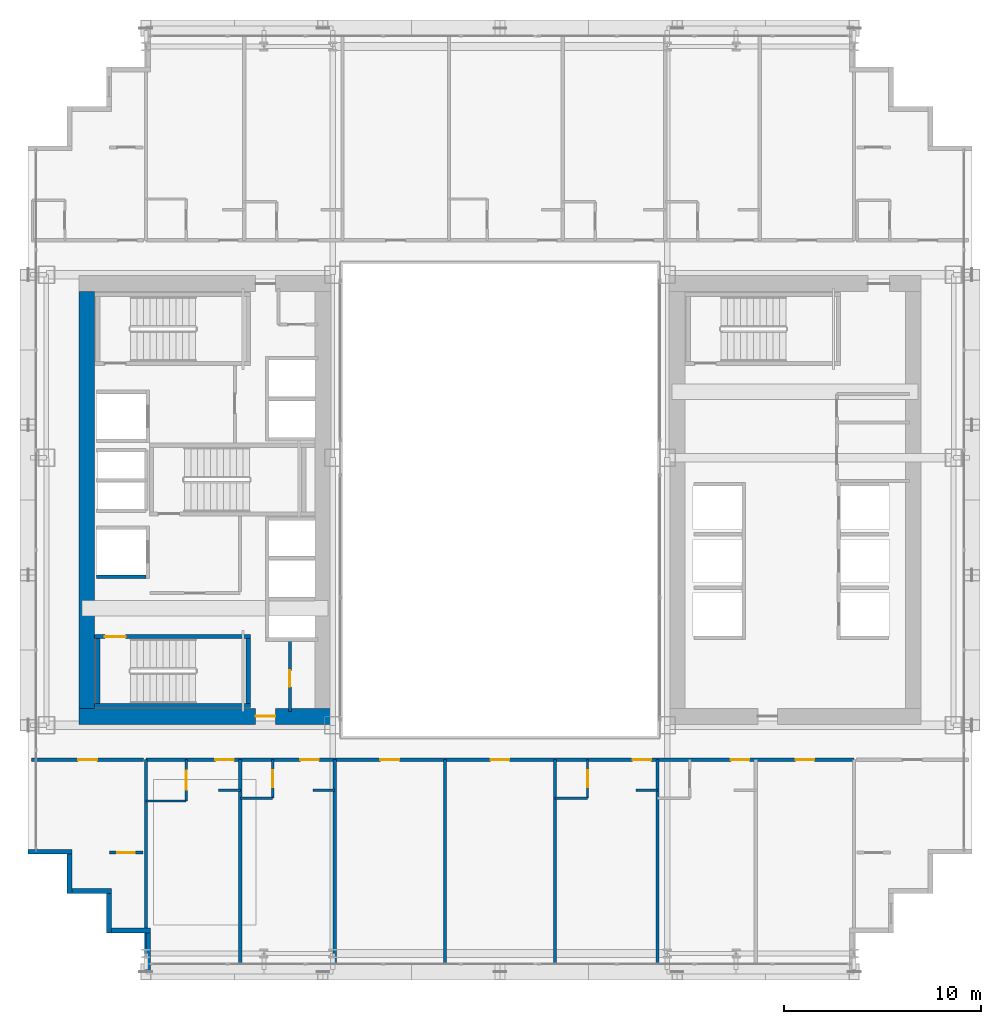
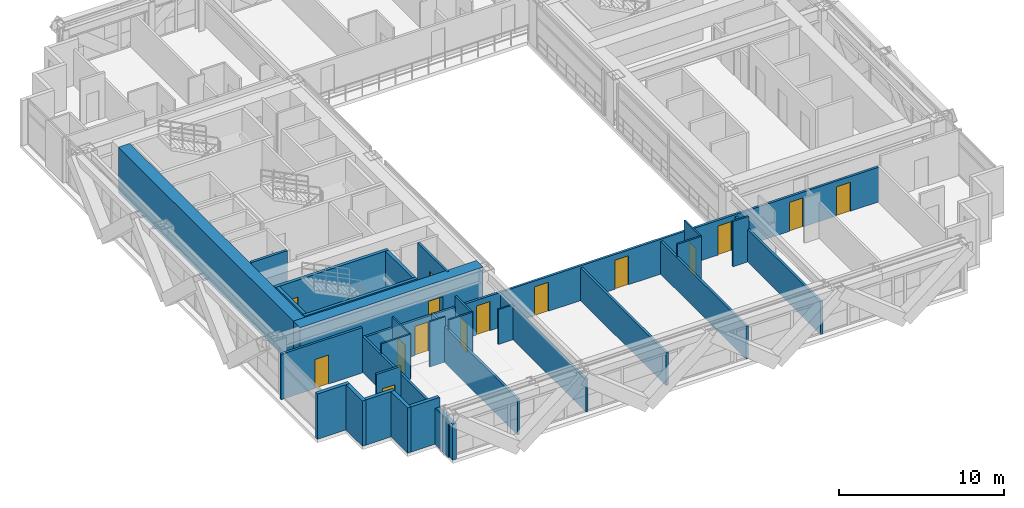
# One storey, part 33 of 41: 32 walls, 15 doors, 15 openings.
"""IFC4 building model written with IfcOpenShell, lengths in metres."""

from ifc_helpers import new_model, si_unit, direction, frame, frame_2d, origin, place, context, subcontext, project, spatial, rectangle, extrude, source, transform, mapped, material, layer, layer_set, type_object, element, fill, save


model = new_model("IFC4")

# Units and contexts
model_context = context("Model", 3, precision=1e-05, world=origin(), true_north=direction((0.0, 1.0)))
body_context = subcontext(model_context, "Body", "Model", "MODEL_VIEW")
ifc_project = project(units=[si_unit("LENGTHUNIT", "METRE"), si_unit("AREAUNIT", "SQUARE_METRE"), si_unit("VOLUMEUNIT", "CUBIC_METRE"), si_unit("PLANEANGLEUNIT", "RADIAN"), si_unit("MASSUNIT", "GRAM", prefix="KILO")], contexts=[model_context])

# Site, building, storey
site_placement = place(None, origin())
site = spatial("IfcSite", under=ifc_project, at=site_placement, CompositionType="ELEMENT")
building_placement = place(site_placement, origin())
building = spatial("IfcBuilding", under=site, at=building_placement, Name="Ocotamira Hotel", CompositionType="ELEMENT")
storey_placement = place(building_placement, frame((0.0, 0.0, 67.199951171875)))
storey = spatial("IfcBuildingStorey", under=building, at=storey_placement, Name="L16", CompositionType="ELEMENT", Elevation=67.199951171875)

# Wall, opening, door
ifc_material_1 = material(Name="Concrete C60/75", Category="concrete")
ifc_layer_1 = layer(ifc_material_1, 0.800048828125)
ifc_layer_set_1 = layer_set([ifc_layer_1], Name="Concrete C60/75")
wall_type_1 = type_object("IfcWallType", Name="WL-CORE-800", PredefinedType="SHEAR", material=ifc_layer_set_1)
wall_1_placement = place(storey_placement, frame((10.60009765625, 15.0, 0.0), z_axis=(0.0, 0.0, 1.0), x_axis=(1.0, 0.0, 0.0)))
wall_1 = element("IfcWall", 1, at=wall_1_placement, inside=storey, type_object=wall_type_1, Name="L16 Shear Core Wall WCORE-S", PredefinedType="SHEAR", context=body_context, shape_type="SweptSolid", body=[
    extrude(rectangle(XDim=12.7998046875, YDim=0.800048828125, at=frame_2d((6.39990234375, 0.0))), origin(), (0.0, 0.0, 1.0), 3.35009765625),
])
opening_1_placement = place(wall_1_placement, frame((8.97998046875, 0.0, 0.0)))
opening_1 = element("IfcOpeningElement", 2, at=opening_1_placement, cuts=wall_1, Name="Opening D-FR2", PredefinedType="OPENING", context=body_context, shape_type="SweptSolid", body=[
    extrude(rectangle(XDim=1.0, YDim=2.14990234375, at=frame_2d((0.5, 1.074951171875))), frame((0.0, 0.41015625, 0.0), z_axis=(0.0, -1.0, 0.0), x_axis=(1.0, 0.0, 0.0)), (0.0, 0.0, 1.0), 0.820068359375),
])
ifc_material_2 = material(Name="Fire-rated acoustic timber-veneer door", Category="wood")
door_type_1 = type_object("IfcDoorType", Name="DR-FIRE-1000", OperationType="NOTDEFINED", PredefinedType="DOOR", material=ifc_material_2)
shared_shape_1 = source(origin(), body_context, "Body", "SweptSolid", [
    extrude(rectangle(XDim=1.0, YDim=2.14990234375, at=frame_2d((0.5, 1.074951171875))), frame((0.0, 0.02490234375, 0.0), z_axis=(0.0, -1.0, 0.0), x_axis=(1.0, 0.0, 0.0)), (0.0, 0.0, 1.0), 0.050048828125),
])
door_1_placement = place(opening_1_placement, origin())
door_1 = element("IfcDoor", 3, at=door_1_placement, inside=storey, type_object=door_type_1, Name="L16 Door ID-L16-WLOB-S-D [ID-L16-WLOB-S-D]", OperationType="SINGLE_SWING_LEFT", OverallHeight=2.14990234375, OverallWidth=1.0, PredefinedType="DOOR", context=body_context, shape_type="MappedRepresentation", body=[
    mapped(shared_shape_1, transform((0.0, 0.0, 0.0), scale=1.0)),
])
fill(opening_1, door_1)

# Walls
wall_2_placement = place(storey_placement, frame((11.0, 15.39990234375, 0.0), z_axis=(0.0, 0.0, 1.0), x_axis=(0.0, 1.0, 0.0)))
element("IfcWall", 4, at=wall_2_placement, inside=storey, type_object=wall_type_1, Name="L16 Shear Core Wall WCORE-W", PredefinedType="SHEAR", context=body_context, shape_type="SweptSolid", body=[
    extrude(rectangle(XDim=21.2001953125, YDim=0.800048828125, at=frame_2d((10.60009765625, 0.0))), origin(), (0.0, 0.0, 1.0), 3.35009765625),
])
ifc_material_3 = material(Name="Precast concrete C45/55", Category="concrete")
ifc_layer_2 = layer(ifc_material_3, 0.25)
ifc_layer_set_2 = layer_set([ifc_layer_2], Name="Precast concrete C45/55")
wall_type_2 = type_object("IfcWallType", Name="WL-EXT-SER-250", PredefinedType="SOLIDWALL", material=ifc_layer_set_2)
wall_3_placement = place(storey_placement, frame((8.0, 8.125, 0.0), z_axis=(0.0, 0.0, 1.0), x_axis=(1.0, 0.0, 0.0)))
element("IfcWall", 5, at=wall_3_placement, inside=storey, type_object=wall_type_2, Name="L16 Serrated Corner Wall 19", PredefinedType="SOLIDWALL", context=body_context, shape_type="SweptSolid", body=[
    extrude(rectangle(XDim=2.25, YDim=0.25, at=frame_2d((1.125, 0.0))), origin(), (0.0, 0.0, 1.0), 3.35009765625),
])
for number, where, z_axis, x_axis, name in (
    (6, (10.125, 8.0, 0.0), (0.0, 0.0, 1.0), (0.0, -1.0, 0.0), "L16 Serrated Corner Wall 20"),
    (7, (10.25, 6.125, 0.0), (0.0, 0.0, 1.0), (1.0, 0.0, 0.0), "L16 Serrated Corner Wall 21"),
    (8, (12.125, 6.0, 0.0), (0.0, 0.0, 1.0), (0.0, -1.0, 0.0), "L16 Serrated Corner Wall 22"),
    (9, (12.25, 4.125, 0.0), (0.0, 0.0, 1.0), (1.0, 0.0, 0.0), "L16 Serrated Corner Wall 23"),
):
    element("IfcWall", number, at=place(storey_placement, frame(where, z_axis=z_axis, x_axis=x_axis)), inside=storey, type_object=wall_type_2, Name=name, PredefinedType="SOLIDWALL", context=body_context, shape_type="SweptSolid", body=[
        extrude(rectangle(XDim=2.0, YDim=0.25, at=frame_2d((1.0, 0.0))), origin(), (0.0, 0.0, 1.0), 3.35009765625),
    ])
wall_4_placement = place(storey_placement, frame((14.125, 4.0, 0.0), z_axis=(0.0, 0.0, 1.0), x_axis=(0.0, -1.0, 0.0)))
element("IfcWall", 10, at=wall_4_placement, inside=storey, type_object=wall_type_2, Name="L16 Serrated Corner Wall 24", PredefinedType="SOLIDWALL", context=body_context, shape_type="SweptSolid", body=[
    extrude(rectangle(XDim=2.0, YDim=0.25, at=frame_2d((1.0, 0.0))), origin(), (0.0, 0.0, 1.0), 2.656982421875),
])

# Wall, opening, door
ifc_material_4 = material(Name="Acoustic double-layer fire gypsum board partition", Category="gypsum")
ifc_layer_3 = layer(ifc_material_4, 0.159912109375)
ifc_layer_set_3 = layer_set([ifc_layer_3], Name="Acoustic double-layer fire gypsum board partition")
wall_type_3 = type_object("IfcWallType", Name="WL-FIRE-160", PredefinedType="PARTITIONING", material=ifc_layer_set_3)
wall_5_placement = place(storey_placement, frame((8.199951171875, 12.800048828125, 0.0), z_axis=(0.0, 0.0, 1.0), x_axis=(1.0, 0.0, 0.0)))
wall_5 = element("IfcWall", 11, at=wall_5_placement, inside=storey, type_object=wall_type_3, Name="L16 Interior Wall PW-L16-Z1D-CSW-CW", PredefinedType="PARTITIONING", context=body_context, shape_type="SweptSolid", body=[
    extrude(rectangle(XDim=5.679931640625, YDim=0.159912109375, at=frame_2d((2.83984375, 0.0))), origin(), (0.0, 0.0, 1.0), 3.35009765625),
])
opening_2_placement = place(wall_5_placement, frame((2.360107421875, 0.0, 0.0)))
opening_2 = element("IfcOpeningElement", 12, at=opening_2_placement, cuts=wall_5, Name="Opening D-SV4", PredefinedType="OPENING", context=body_context, shape_type="SweptSolid", body=[
    extrude(rectangle(XDim=0.9599609375, YDim=2.14990234375, at=frame_2d((0.47998046875, 1.074951171875))), frame((0.0, 0.08984375, 0.0), z_axis=(0.0, -1.0, 0.0), x_axis=(1.0, 0.0, 0.0)), (0.0, 0.0, 1.0), 0.179931640625),
])
ifc_material_5 = material(Name="Fire-rated accessible walnut salon door", Category="wood")
door_type_2 = type_object("IfcDoorType", Name="DR-SERV-960", OperationType="NOTDEFINED", PredefinedType="DOOR", material=ifc_material_5)
shared_shape_2 = source(origin(), body_context, "Body", "SweptSolid", [
    extrude(rectangle(XDim=0.9599609375, YDim=2.14990234375, at=frame_2d((0.47998046875, 1.074951171875))), frame((0.0, 0.02490234375, 0.0), z_axis=(0.0, -1.0, 0.0), x_axis=(1.0, 0.0, 0.0)), (0.0, 0.0, 1.0), 0.050048828125),
])
door_2_placement = place(opening_2_placement, origin())
door_2 = element("IfcDoor", 13, at=door_2_placement, inside=storey, type_object=door_type_2, Name="L16 Door ID-L16-Z1D-CSW-CD [ID-L16-Z1D-CSW-CD]", OperationType="SINGLE_SWING_LEFT", OverallHeight=2.14990234375, OverallWidth=0.9599609375, PredefinedType="DOOR", context=body_context, shape_type="MappedRepresentation", body=[
    mapped(shared_shape_2, transform((0.0, 0.0, 0.0), scale=1.0)),
])
fill(opening_2, door_2)

wall_6_placement = place(storey_placement, frame((12.14990234375, 8.080078125, 0.0), z_axis=(0.0, 0.0, 1.0), x_axis=(1.0, 0.0, 0.0)))
wall_6 = element("IfcWall", 14, at=wall_6_placement, inside=storey, type_object=wall_type_3, Name="L16 Interior Wall PW-L16-Z1D-CSW2-CW", PredefinedType="PARTITIONING", context=body_context, shape_type="SweptSolid", body=[
    extrude(rectangle(XDim=1.7001953125, YDim=0.159912109375, at=frame_2d((0.85009765625, 0.0))), origin(), (0.0, 0.0, 1.0), 3.35009765625),
])
opening_3_placement = place(wall_6_placement, frame((0.409912109375, 0.0, 0.0)))
opening_3 = element("IfcOpeningElement", 15, at=opening_3_placement, cuts=wall_6, Name="Opening D-SV2", PredefinedType="OPENING", context=body_context, shape_type="SweptSolid", body=[
    extrude(rectangle(XDim=0.8798828125, YDim=2.14990234375, at=frame_2d((0.43994140625, 1.074951171875))), frame((0.0, 0.08984375, 0.0), z_axis=(0.0, -1.0, 0.0), x_axis=(1.0, 0.0, 0.0)), (0.0, 0.0, 1.0), 0.179931640625),
])
ifc_material_6 = material(Name="Fire-rated painted steel service door", Category="steel")
door_type_3 = type_object("IfcDoorType", Name="DR-SERV-880", OperationType="NOTDEFINED", PredefinedType="DOOR", material=ifc_material_6)
shared_shape_3 = source(origin(), body_context, "Body", "SweptSolid", [
    extrude(rectangle(XDim=0.8798828125, YDim=2.14990234375, at=frame_2d((0.43994140625, 1.074951171875))), frame((0.0, 0.02490234375, 0.0), z_axis=(0.0, -1.0, 0.0), x_axis=(1.0, 0.0, 0.0)), (0.0, 0.0, 1.0), 0.050048828125),
])
door_3_placement = place(opening_3_placement, origin())
door_3 = element("IfcDoor", 16, at=door_3_placement, inside=storey, type_object=door_type_3, Name="L16 Door ID-L16-Z1D-CSW2-CD [ID-L16-Z1D-CSW2-CD]", OperationType="SINGLE_SWING_LEFT", OverallHeight=2.14990234375, OverallWidth=0.8798828125, PredefinedType="DOOR", context=body_context, shape_type="MappedRepresentation", body=[
    mapped(shared_shape_3, transform((0.0, 0.0, 0.0), scale=1.0)),
])
fill(opening_3, door_3)

# Wall, openings, doors
wall_7_placement = place(storey_placement, frame((14.0, 12.800048828125, 0.0), z_axis=(0.0, 0.0, 1.0), x_axis=(1.0, 0.0, 0.0)))
wall_7 = element("IfcWall", 17, at=wall_7_placement, inside=storey, type_object=wall_type_3, Name="L16 Interior Wall PW-L16-Z1DS-CORRW", PredefinedType="PARTITIONING", context=body_context, shape_type="SweptSolid", body=[
    extrude(rectangle(XDim=36.0, YDim=0.159912109375, at=frame_2d((18.0, 0.0))), origin(), (0.0, 0.0, 1.0), 2.571044921875),
])
opening_4_placement = place(wall_7_placement, frame((3.5400390625, 0.0, 0.0)))
opening_4 = element("IfcOpeningElement", 18, at=opening_4_placement, cuts=wall_7, Name="Opening D-GR1", PredefinedType="OPENING", context=body_context, shape_type="SweptSolid", body=[
    extrude(rectangle(XDim=0.93994140625, YDim=2.14990234375, at=frame_2d((0.469970703125, 1.074951171875))), frame((0.0, 0.08984375, 0.0), z_axis=(0.0, -1.0, 0.0), x_axis=(1.0, 0.0, 0.0)), (0.0, 0.0, 1.0), 0.179931640625),
])
opening_5_placement = place(wall_7_placement, frame((7.860107421875, 0.0, 0.0)))
opening_5 = element("IfcOpeningElement", 19, at=opening_5_placement, cuts=wall_7, Name="Opening D-GR1", PredefinedType="OPENING", context=body_context, shape_type="SweptSolid", body=[
    extrude(rectangle(XDim=0.93994140625, YDim=2.14990234375, at=frame_2d((0.469970703125, 1.074951171875))), frame((0.0, 0.08984375, 0.0), z_axis=(0.0, -1.0, 0.0), x_axis=(1.0, 0.0, 0.0)), (0.0, 0.0, 1.0), 0.179931640625),
])
opening_6_placement = place(wall_7_placement, frame((11.919921875, 0.0, 0.0)))
opening_6 = element("IfcOpeningElement", 20, at=opening_6_placement, cuts=wall_7, Name="Opening D-SV4", PredefinedType="OPENING", context=body_context, shape_type="SweptSolid", body=[
    extrude(rectangle(XDim=0.9599609375, YDim=2.14990234375, at=frame_2d((0.47998046875, 1.074951171875))), frame((0.0, 0.08984375, 0.0), z_axis=(0.0, -1.0, 0.0), x_axis=(1.0, 0.0, 0.0)), (0.0, 0.0, 1.0), 0.179931640625),
])
opening_7_placement = place(wall_7_placement, frame((17.52001953125, 0.0, 0.0)))
opening_7 = element("IfcOpeningElement", 21, at=opening_7_placement, cuts=wall_7, Name="Opening D-SV4", PredefinedType="OPENING", context=body_context, shape_type="SweptSolid", body=[
    extrude(rectangle(XDim=0.9599609375, YDim=2.14990234375, at=frame_2d((0.47998046875, 1.074951171875))), frame((0.0, 0.08984375, 0.0), z_axis=(0.0, -1.0, 0.0), x_axis=(1.0, 0.0, 0.0)), (0.0, 0.0, 1.0), 0.179931640625),
])
opening_8_placement = place(wall_7_placement, frame((24.739990234375, 0.0, 0.0)))
opening_8 = element("IfcOpeningElement", 22, at=opening_8_placement, cuts=wall_7, Name="Opening D-GR1", PredefinedType="OPENING", context=body_context, shape_type="SweptSolid", body=[
    extrude(rectangle(XDim=0.93994140625, YDim=2.14990234375, at=frame_2d((0.469970703125, 1.074951171875))), frame((0.0, 0.08984375, 0.0), z_axis=(0.0, -1.0, 0.0), x_axis=(1.0, 0.0, 0.0)), (0.0, 0.0, 1.0), 0.179931640625),
])
opening_9_placement = place(wall_7_placement, frame((29.739990234375, 0.0, 0.0)))
opening_9 = element("IfcOpeningElement", 23, at=opening_9_placement, cuts=wall_7, Name="Opening D-GR1", PredefinedType="OPENING", context=body_context, shape_type="SweptSolid", body=[
    extrude(rectangle(XDim=0.93994140625, YDim=2.14990234375, at=frame_2d((0.469970703125, 1.074951171875))), frame((0.0, 0.08984375, 0.0), z_axis=(0.0, -1.0, 0.0), x_axis=(1.0, 0.0, 0.0)), (0.0, 0.0, 1.0), 0.179931640625),
])
opening_10_placement = place(wall_7_placement, frame((33.02001953125, 0.0, 0.0)))
opening_10 = element("IfcOpeningElement", 24, at=opening_10_placement, cuts=wall_7, Name="Opening D-SV4", PredefinedType="OPENING", context=body_context, shape_type="SweptSolid", body=[
    extrude(rectangle(XDim=0.9599609375, YDim=2.14990234375, at=frame_2d((0.47998046875, 1.074951171875))), frame((0.0, 0.08984375, 0.0), z_axis=(0.0, -1.0, 0.0), x_axis=(1.0, 0.0, 0.0)), (0.0, 0.0, 1.0), 0.179931640625),
])
door_4_placement = place(opening_6_placement, origin())
door_4 = element("IfcDoor", 25, at=door_4_placement, inside=storey, type_object=door_type_2, Name="L16 Door ID-L16-Z1DS-AMD3 [ID-L16-Z1DS-AMD3]", OperationType="SINGLE_SWING_LEFT", OverallHeight=2.14990234375, OverallWidth=0.9599609375, PredefinedType="DOOR", context=body_context, shape_type="MappedRepresentation", body=[
    mapped(shared_shape_2, transform((0.0, 0.0, 0.0), scale=1.0)),
])
fill(opening_6, door_4)
door_5_placement = place(opening_7_placement, origin())
door_5 = element("IfcDoor", 26, at=door_5_placement, inside=storey, type_object=door_type_2, Name="L16 Door ID-L16-Z1DS-AMD4 [ID-L16-Z1DS-AMD4]", OperationType="SINGLE_SWING_RIGHT", OverallHeight=2.14990234375, OverallWidth=0.9599609375, PredefinedType="DOOR", context=body_context, shape_type="MappedRepresentation", body=[
    mapped(shared_shape_2, transform((0.0, 0.0, 0.0), scale=1.0)),
])
fill(opening_7, door_5)
door_6_placement = place(opening_10_placement, origin())
door_6 = element("IfcDoor", 27, at=door_6_placement, inside=storey, type_object=door_type_2, Name="L16 Door ID-L16-Z1DS-AMD7 [ID-L16-Z1DS-AMD7]", OperationType="SINGLE_SWING_LEFT", OverallHeight=2.14990234375, OverallWidth=0.9599609375, PredefinedType="DOOR", context=body_context, shape_type="MappedRepresentation", body=[
    mapped(shared_shape_2, transform((0.0, 0.0, 0.0), scale=1.0)),
])
fill(opening_10, door_6)
ifc_material_7 = material(Name="Solid-core walnut suite entrance fire door", Category="wood")
door_type_4 = type_object("IfcDoorType", Name="DR-GUEST-940", OperationType="NOTDEFINED", PredefinedType="DOOR", material=ifc_material_7)
shared_shape_4 = source(origin(), body_context, "Body", "SweptSolid", [
    extrude(rectangle(XDim=0.93994140625, YDim=2.14990234375, at=frame_2d((0.469970703125, 1.074951171875))), frame((0.0, 0.02490234375, 0.0), z_axis=(0.0, -1.0, 0.0), x_axis=(1.0, 0.0, 0.0)), (0.0, 0.0, 1.0), 0.050048828125),
])
door_7_placement = place(opening_4_placement, origin())
door_7 = element("IfcDoor", 28, at=door_7_placement, inside=storey, type_object=door_type_4, Name="L16 Door ID-L16-Z1DS-RMD1 [ID-L16-Z1DS-RMD1]", OperationType="SINGLE_SWING_LEFT", OverallHeight=2.14990234375, OverallWidth=0.93994140625, PredefinedType="DOOR", context=body_context, shape_type="MappedRepresentation", body=[
    mapped(shared_shape_4, transform((0.0, 0.0, 0.0), scale=1.0)),
])
fill(opening_4, door_7)
door_8_placement = place(opening_5_placement, origin())
door_8 = element("IfcDoor", 29, at=door_8_placement, inside=storey, type_object=door_type_4, Name="L16 Door ID-L16-Z1DS-RMD2 [ID-L16-Z1DS-RMD2]", OperationType="SINGLE_SWING_RIGHT", OverallHeight=2.14990234375, OverallWidth=0.93994140625, PredefinedType="DOOR", context=body_context, shape_type="MappedRepresentation", body=[
    mapped(shared_shape_4, transform((0.0, 0.0, 0.0), scale=1.0)),
])
fill(opening_5, door_8)
door_9_placement = place(opening_8_placement, origin())
door_9 = element("IfcDoor", 30, at=door_9_placement, inside=storey, type_object=door_type_4, Name="L16 Door ID-L16-Z1DS-RMD5 [ID-L16-Z1DS-RMD5]", OperationType="SINGLE_SWING_LEFT", OverallHeight=2.14990234375, OverallWidth=0.93994140625, PredefinedType="DOOR", context=body_context, shape_type="MappedRepresentation", body=[
    mapped(shared_shape_4, transform((0.0, 0.0, 0.0), scale=1.0)),
])
fill(opening_8, door_9)
door_10_placement = place(opening_9_placement, origin())
door_10 = element("IfcDoor", 31, at=door_10_placement, inside=storey, type_object=door_type_4, Name="L16 Door ID-L16-Z1DS-RMD6 [ID-L16-Z1DS-RMD6]", OperationType="SINGLE_SWING_RIGHT", OverallHeight=2.14990234375, OverallWidth=0.93994140625, PredefinedType="DOOR", context=body_context, shape_type="MappedRepresentation", body=[
    mapped(shared_shape_4, transform((0.0, 0.0, 0.0), scale=1.0)),
])
fill(opening_9, door_10)

# Wall, opening, door
ifc_material_8 = material(Name="Moisture-resistant en-suite tile and gypsum partition", Category="gypsum")
ifc_layer_4 = layer(ifc_material_8, 0.1201171875)
ifc_layer_set_4 = layer_set([ifc_layer_4], Name="Moisture-resistant en-suite tile and gypsum partition")
wall_type_4 = type_object("IfcWallType", Name="WL-PART-120", PredefinedType="PARTITIONING", material=ifc_layer_set_4)
wall_8_placement = place(storey_placement, frame((16.050048828125, 10.699951171875, 0.0), z_axis=(0.0, 0.0, 1.0), x_axis=(0.0, 1.0, 0.0)))
wall_8 = element("IfcWall", 32, at=wall_8_placement, inside=storey, type_object=wall_type_4, Name="L16 Interior Wall PW-L16-Z1DS-BAE1", PredefinedType="PARTITIONING", context=body_context, shape_type="SweptSolid", body=[
    extrude(rectangle(XDim=2.10009765625, YDim=0.1201171875, at=frame_2d((1.050048828125, 0.0))), origin(), (0.0, 0.0, 1.0), 3.35009765625),
])
opening_11_placement = place(wall_8_placement, frame((0.570068359375, 0.0, 0.0)))
opening_11 = element("IfcOpeningElement", 33, at=opening_11_placement, cuts=wall_8, Name="Opening D-IN1", PredefinedType="OPENING", context=body_context, shape_type="SweptSolid", body=[
    extrude(rectangle(XDim=0.9599609375, YDim=2.14990234375, at=frame_2d((0.47998046875, 1.074951171875))), frame((0.0, 0.070068359375, 0.0), z_axis=(0.0, -1.0, 0.0), x_axis=(1.0, 0.0, 0.0)), (0.0, 0.0, 1.0), 0.14013671875),
])
ifc_material_9 = material(Name="Accessible walnut interior room door", Category="wood")
door_type_5 = type_object("IfcDoorType", Name="DR-INT-960", OperationType="NOTDEFINED", PredefinedType="DOOR", material=ifc_material_9)
door_11_placement = place(opening_11_placement, origin())
door_11 = element("IfcDoor", 34, at=door_11_placement, inside=storey, type_object=door_type_5, Name="L16 Door ID-L16-Z1DS-BAD1 [ID-L16-Z1DS-BAD1]", OperationType="SINGLE_SWING_RIGHT", OverallHeight=2.14990234375, OverallWidth=0.9599609375, PredefinedType="DOOR", context=body_context, shape_type="MappedRepresentation", body=[
    mapped(shared_shape_2, transform((0.0, 0.0, 0.0), scale=1.0)),
])
fill(opening_11, door_11)

# Walls
wall_9_placement = place(storey_placement, frame((14.0, 10.699951171875, 0.0), z_axis=(0.0, 0.0, 1.0), x_axis=(1.0, 0.0, 0.0)))
element("IfcWall", 35, at=wall_9_placement, inside=storey, type_object=wall_type_4, Name="L16 Interior Wall PW-L16-Z1DS-BAS1", PredefinedType="PARTITIONING", context=body_context, shape_type="SweptSolid", body=[
    extrude(rectangle(XDim=2.050048828125, YDim=0.1201171875, at=frame_2d((1.02490234375, 0.0))), origin(), (0.0, 0.0, 1.0), 3.35009765625),
])
wall_10_placement = place(storey_placement, frame((17.699951171875, 11.25, 0.0), z_axis=(0.0, 0.0, 1.0), x_axis=(1.0, 0.0, 0.0)))
element("IfcWall", 36, at=wall_10_placement, inside=storey, type_object=wall_type_4, Name="L16 Interior Wall PW-L16-Z1DS-DRN1", PredefinedType="PARTITIONING", context=body_context, shape_type="SweptSolid", body=[
    extrude(rectangle(XDim=1.10009765625, YDim=0.1201171875, at=frame_2d((0.550048828125, 0.0))), origin(), (0.0, 0.0, 1.0), 3.35009765625),
])

# Wall, opening, door
wall_11_placement = place(storey_placement, frame((20.449951171875, 10.85009765625, 0.0), z_axis=(0.0, 0.0, 1.0), x_axis=(0.0, 1.0, 0.0)))
wall_11 = element("IfcWall", 37, at=wall_11_placement, inside=storey, type_object=wall_type_4, Name="L16 Interior Wall PW-L16-Z1DS-BAE2", PredefinedType="PARTITIONING", context=body_context, shape_type="SweptSolid", body=[
    extrude(rectangle(XDim=1.949951171875, YDim=0.1201171875, at=frame_2d((0.97509765625, 0.0))), origin(), (0.0, 0.0, 1.0), 3.35009765625),
])
opening_12_placement = place(wall_11_placement, frame((0.544921875, 0.0, 0.0)))
opening_12 = element("IfcOpeningElement", 38, at=opening_12_placement, cuts=wall_11, Name="Opening D-BA1", PredefinedType="OPENING", context=body_context, shape_type="SweptSolid", body=[
    extrude(rectangle(XDim=0.860107421875, YDim=2.10009765625, at=frame_2d((0.43017578125, 1.050048828125))), frame((0.0, 0.070068359375, 0.0), z_axis=(0.0, -1.0, 0.0), x_axis=(1.0, 0.0, 0.0)), (0.0, 0.0, 1.0), 0.14013671875),
])
ifc_material_10 = material(Name="Moisture-sealed en-suite timber door", Category="wood")
door_type_6 = type_object("IfcDoorType", Name="DR-BATH-860", OperationType="NOTDEFINED", PredefinedType="DOOR", material=ifc_material_10)
shared_shape_5 = source(origin(), body_context, "Body", "SweptSolid", [
    extrude(rectangle(XDim=0.860107421875, YDim=2.10009765625, at=frame_2d((0.43017578125, 1.050048828125))), frame((0.0, 0.02490234375, 0.0), z_axis=(0.0, -1.0, 0.0), x_axis=(1.0, 0.0, 0.0)), (0.0, 0.0, 1.0), 0.050048828125),
])
door_12_placement = place(opening_12_placement, origin())
door_12 = element("IfcDoor", 39, at=door_12_placement, inside=storey, type_object=door_type_6, Name="L16 Door ID-L16-Z1DS-BAD2 [ID-L16-Z1DS-BAD2]", OperationType="SINGLE_SWING_LEFT", OverallHeight=2.10009765625, OverallWidth=0.860107421875, PredefinedType="DOOR", context=body_context, shape_type="MappedRepresentation", body=[
    mapped(shared_shape_5, transform((0.0, 0.0, 0.0), scale=1.0)),
])
fill(opening_12, door_12)

# Walls
wall_12_placement = place(storey_placement, frame((18.800048828125, 10.85009765625, 0.0), z_axis=(0.0, 0.0, 1.0), x_axis=(1.0, 0.0, 0.0)))
element("IfcWall", 40, at=wall_12_placement, inside=storey, type_object=wall_type_4, Name="L16 Interior Wall PW-L16-Z1DS-BAS2", PredefinedType="PARTITIONING", context=body_context, shape_type="SweptSolid", body=[
    extrude(rectangle(XDim=1.64990234375, YDim=0.1201171875, at=frame_2d((0.824951171875, 0.0))), origin(), (0.0, 0.0, 1.0), 3.35009765625),
])
wall_13_placement = place(storey_placement, frame((22.5, 11.25, 0.0), z_axis=(0.0, 0.0, 1.0), x_axis=(1.0, 0.0, 0.0)))
element("IfcWall", 41, at=wall_13_placement, inside=storey, type_object=wall_type_4, Name="L16 Interior Wall PW-L16-Z1DS-DRN2", PredefinedType="PARTITIONING", context=body_context, shape_type="SweptSolid", body=[
    extrude(rectangle(XDim=1.10009765625, YDim=0.1201171875, at=frame_2d((0.550048828125, 0.0))), origin(), (0.0, 0.0, 1.0), 2.571044921875),
])

# Wall, opening, door
wall_14_placement = place(storey_placement, frame((36.449951171875, 10.85009765625, 0.0), z_axis=(0.0, 0.0, 1.0), x_axis=(0.0, 1.0, 0.0)))
wall_14 = element("IfcWall", 42, at=wall_14_placement, inside=storey, type_object=wall_type_4, Name="L16 Interior Wall PW-L16-Z1DS-BAE5", PredefinedType="PARTITIONING", context=body_context, shape_type="SweptSolid", body=[
    extrude(rectangle(XDim=1.949951171875, YDim=0.1201171875, at=frame_2d((0.97509765625, 0.0))), origin(), (0.0, 0.0, 1.0), 3.35009765625),
])
opening_13_placement = place(wall_14_placement, frame((0.544921875, 0.0, 0.0)))
opening_13 = element("IfcOpeningElement", 43, at=opening_13_placement, cuts=wall_14, Name="Opening D-BA1", PredefinedType="OPENING", context=body_context, shape_type="SweptSolid", body=[
    extrude(rectangle(XDim=0.860107421875, YDim=2.10009765625, at=frame_2d((0.43017578125, 1.050048828125))), frame((0.0, 0.070068359375, 0.0), z_axis=(0.0, -1.0, 0.0), x_axis=(1.0, 0.0, 0.0)), (0.0, 0.0, 1.0), 0.14013671875),
])
door_13_placement = place(opening_13_placement, origin())
door_13 = element("IfcDoor", 44, at=door_13_placement, inside=storey, type_object=door_type_6, Name="L16 Door ID-L16-Z1DS-BAD5 [ID-L16-Z1DS-BAD5]", OperationType="SINGLE_SWING_RIGHT", OverallHeight=2.10009765625, OverallWidth=0.860107421875, PredefinedType="DOOR", context=body_context, shape_type="MappedRepresentation", body=[
    mapped(shared_shape_5, transform((0.0, 0.0, 0.0), scale=1.0)),
])
fill(opening_13, door_13)

# Walls
wall_15_placement = place(storey_placement, frame((34.800048828125, 10.85009765625, 0.0), z_axis=(0.0, 0.0, 1.0), x_axis=(1.0, 0.0, 0.0)))
element("IfcWall", 45, at=wall_15_placement, inside=storey, type_object=wall_type_4, Name="L16 Interior Wall PW-L16-Z1DS-BAS5", PredefinedType="PARTITIONING", context=body_context, shape_type="SweptSolid", body=[
    extrude(rectangle(XDim=1.64990234375, YDim=0.1201171875, at=frame_2d((0.824951171875, 0.0))), origin(), (0.0, 0.0, 1.0), 3.35009765625),
])
wall_16_placement = place(storey_placement, frame((38.89990234375, 11.25, 0.0), z_axis=(0.0, 0.0, 1.0), x_axis=(1.0, 0.0, 0.0)))
element("IfcWall", 46, at=wall_16_placement, inside=storey, type_object=wall_type_4, Name="L16 Interior Wall PW-L16-Z1DS-DRN5", PredefinedType="PARTITIONING", context=body_context, shape_type="SweptSolid", body=[
    extrude(rectangle(XDim=1.10009765625, YDim=0.1201171875, at=frame_2d((0.550048828125, 0.0))), origin(), (0.0, 0.0, 1.0), 3.35009765625),
])

# Wall, opening, door
ifc_material_11 = material(Name="Acoustic hospitality gypsum board partition", Category="gypsum")
ifc_layer_5 = layer(ifc_material_11, 0.14208984375)
ifc_layer_set_5 = layer_set([ifc_layer_5], Name="Acoustic hospitality gypsum board partition")
wall_type_5 = type_object("IfcWallType", Name="WL-PART-142", PredefinedType="PARTITIONING", material=ifc_layer_set_5)
wall_17_placement = place(storey_placement, frame((21.320068359375, 15.25, 0.0), z_axis=(0.0, 0.0, 1.0), x_axis=(0.0, 1.0, 0.0)))
wall_17 = element("IfcWall", 47, at=wall_17_placement, inside=storey, type_object=wall_type_5, Name="L16 Interior Wall PW-L16-WC-SE-W", PredefinedType="PARTITIONING", context=body_context, shape_type="SweptSolid", body=[
    extrude(rectangle(XDim=3.590087890625, YDim=0.14208984375, at=frame_2d((1.794921875, 0.0))), origin(), (0.0, 0.0, 1.0), 3.35009765625),
])
opening_14_placement = place(wall_17_placement, frame((1.25, 0.0, 0.0)))
opening_14 = element("IfcOpeningElement", 48, at=opening_14_placement, cuts=wall_17, Name="Opening D-SV1", PredefinedType="OPENING", context=body_context, shape_type="SweptSolid", body=[
    extrude(rectangle(XDim=0.840087890625, YDim=2.10009765625, at=frame_2d((0.419921875, 1.050048828125))), frame((0.0, 0.0810546875, 0.0), z_axis=(0.0, -1.0, 0.0), x_axis=(1.0, 0.0, 0.0)), (0.0, 0.0, 1.0), 0.162109375),
])
door_type_7 = type_object("IfcDoorType", Name="DR-SERV-840", OperationType="NOTDEFINED", PredefinedType="DOOR", material=ifc_material_6)
shared_shape_6 = source(origin(), body_context, "Body", "SweptSolid", [
    extrude(rectangle(XDim=0.840087890625, YDim=2.10009765625, at=frame_2d((0.419921875, 1.050048828125))), frame((0.0, 0.02490234375, 0.0), z_axis=(0.0, -1.0, 0.0), x_axis=(1.0, 0.0, 0.0)), (0.0, 0.0, 1.0), 0.050048828125),
])
door_14_placement = place(opening_14_placement, origin())
door_14 = element("IfcDoor", 49, at=door_14_placement, inside=storey, type_object=door_type_7, Name="L16 Door ID-L16-WC-SE-D [ID-L16-WC-SE-D]", OperationType="SINGLE_SWING_RIGHT", OverallHeight=2.10009765625, OverallWidth=0.840087890625, PredefinedType="DOOR", context=body_context, shape_type="MappedRepresentation", body=[
    mapped(shared_shape_6, transform((0.0, 0.0, 0.0), scale=1.0)),
])
fill(opening_14, door_14)

# Walls
ifc_material_12 = material(Name="Acoustic double-stud hospitality gypsum partition", Category="gypsum")
ifc_layer_6 = layer(ifc_material_12, 0.159912109375)
ifc_layer_set_6 = layer_set([ifc_layer_6], Name="Acoustic double-stud hospitality gypsum partition")
wall_type_6 = type_object("IfcWallType", Name="WL-PART-160", PredefinedType="PARTITIONING", material=ifc_layer_set_6)
for number, where, z_axis, x_axis, name in (
    (50, (14.0, 2.360107421875, 0.0), (0.0, 0.0, 1.0), (0.0, 1.0, 0.0), "L16 Interior Wall PW-L16-Z1DS-PW0"),
    (51, (18.800048828125, 2.360107421875, 0.0), (0.0, 0.0, 1.0), (0.0, 1.0, 0.0), "L16 Interior Wall PW-L16-Z1DS-PW1"),
):
    element("IfcWall", number, at=place(storey_placement, frame(where, z_axis=z_axis, x_axis=x_axis)), inside=storey, type_object=wall_type_6, Name=name, PredefinedType="PARTITIONING", context=body_context, shape_type="SweptSolid", body=[
        extrude(rectangle(XDim=10.43994140625, YDim=0.159912109375, at=frame_2d((5.219970703125, 0.0))), origin(), (0.0, 0.0, 1.0), 2.656982421875),
    ])
for number, where, z_axis, x_axis, name in (
    (52, (23.60009765625, 2.360107421875, 0.0), (0.0, 0.0, 1.0), (0.0, 1.0, 0.0), "L16 Interior Wall PW-L16-Z1DS-PW2"),
    (53, (29.199951171875, 2.360107421875, 0.0), (0.0, 0.0, 1.0), (0.0, 1.0, 0.0), "L16 Interior Wall PW-L16-Z1DS-PW3"),
    (54, (34.800048828125, 2.360107421875, 0.0), (0.0, 0.0, 1.0), (0.0, 1.0, 0.0), "L16 Interior Wall PW-L16-Z1DS-PW4"),
    (55, (40.0, 2.360107421875, 0.0), (0.0, 0.0, 1.0), (0.0, 1.0, 0.0), "L16 Interior Wall PW-L16-Z1DS-PW5"),
):
    element("IfcWall", number, at=place(storey_placement, frame(where, z_axis=z_axis, x_axis=x_axis)), inside=storey, type_object=wall_type_6, Name=name, PredefinedType="PARTITIONING", context=body_context, shape_type="SweptSolid", body=[
        extrude(rectangle(XDim=10.43994140625, YDim=0.159912109375, at=frame_2d((5.219970703125, 0.0))), origin(), (0.0, 0.0, 1.0), 2.423095703125),
    ])
ifc_material_13 = material(Name="Fire-rated gypsum shaftliner board assembly", Category="gypsum")
ifc_layer_7 = layer(ifc_material_13, 0.179931640625)
ifc_layer_set_7 = layer_set([ifc_layer_7], Name="Fire-rated gypsum shaftliner board assembly")
wall_type_7 = type_object("IfcWallType", Name="WL-SHAFT-180", PredefinedType="SOLIDWALL", material=ifc_layer_set_7)
wall_18_placement = place(storey_placement, frame((11.5, 22.110107421875, 0.0), z_axis=(0.0, 0.0, 1.0), x_axis=(1.0, 0.0, 0.0)))
element("IfcWall", 56, at=wall_18_placement, inside=storey, type_object=wall_type_7, Name="L16 Interior Wall PW-L16-LFW-LF-FSAE1-S", PredefinedType="SOLIDWALL", context=body_context, shape_type="SweptSolid", body=[
    extrude(rectangle(XDim=2.5, YDim=0.179931640625, at=frame_2d((1.25, 0.0))), origin(), (0.0, 0.0, 1.0), 3.35009765625),
])
ifc_material_14 = material(Name="Concrete C50/60", Category="concrete")
ifc_layer_8 = layer(ifc_material_14, 0.219970703125)
ifc_layer_set_8 = layer_set([ifc_layer_8], Name="Concrete C50/60")
wall_type_8 = type_object("IfcWallType", Name="WL-STAIR-220", PredefinedType="SHEAR", material=ifc_layer_set_8)
wall_19_placement = place(storey_placement, frame((11.39990234375, 15.56005859375, 0.0), z_axis=(0.0, 0.0, 1.0), x_axis=(1.0, 0.0, 0.0)))
element("IfcWall", 57, at=wall_19_placement, inside=storey, type_object=wall_type_8, Name="L16 Stair Shaft Structural Wall ST-1-S", PredefinedType="SHEAR", context=body_context, shape_type="SweptSolid", body=[
    extrude(rectangle(XDim=7.91015625, YDim=0.219970703125, at=frame_2d((3.955078125, 0.0))), origin(), (0.0, 0.0, 1.0), 3.400146484375),
])

# Wall, opening, door
wall_20_placement = place(storey_placement, frame((11.39990234375, 19.06005859375, 0.0), z_axis=(0.0, 0.0, 1.0), x_axis=(1.0, 0.0, 0.0)))
wall_20 = element("IfcWall", 58, at=wall_20_placement, inside=storey, type_object=wall_type_8, Name="L16 Stair Shaft Structural Wall ST-1-N", PredefinedType="SHEAR", context=body_context, shape_type="SweptSolid", body=[
    extrude(rectangle(XDim=7.91015625, YDim=0.219970703125, at=frame_2d((3.955078125, 0.0))), origin(), (0.0, 0.0, 1.0), 3.400146484375),
])
opening_15_placement = place(wall_20_placement, frame((0.52001953125, 0.0, 0.0)))
opening_15 = element("IfcOpeningElement", 59, at=opening_15_placement, cuts=wall_20, Name="Opening D-ST2", PredefinedType="OPENING", context=body_context, shape_type="SweptSolid", body=[
    extrude(rectangle(XDim=1.050048828125, YDim=2.14990234375, at=frame_2d((0.52490234375, 1.074951171875))), frame((0.0, 0.1201171875, 0.0), z_axis=(0.0, -1.0, 0.0), x_axis=(1.0, 0.0, 0.0)), (0.0, 0.0, 1.0), 0.239990234375),
])
ifc_material_15 = material(Name="Insulated painted hollow-metal fire exit door", Category="steel")
door_type_8 = type_object("IfcDoorType", Name="DR-STAIR-1050", OperationType="NOTDEFINED", PredefinedType="DOOR", material=ifc_material_15)
shared_shape_7 = source(origin(), body_context, "Body", "SweptSolid", [
    extrude(rectangle(XDim=1.050048828125, YDim=2.14990234375, at=frame_2d((0.52490234375, 1.074951171875))), frame((0.0, 0.02490234375, 0.0), z_axis=(0.0, -1.0, 0.0), x_axis=(1.0, 0.0, 0.0)), (0.0, 0.0, 1.0), 0.050048828125),
])
door_15_placement = place(opening_15_placement, origin())
door_15 = element("IfcDoor", 60, at=door_15_placement, inside=storey, type_object=door_type_8, Name="L16 Door ID-L16-STD-ST-1 [ID-L16-STD-ST-1]", OperationType="SINGLE_SWING_LEFT", OverallHeight=2.14990234375, OverallWidth=1.050048828125, PredefinedType="DOOR", context=body_context, shape_type="MappedRepresentation", body=[
    mapped(shared_shape_7, transform((0.0, 0.0, 0.0), scale=1.0)),
])
fill(opening_15, door_15)

# Walls
for number, where, z_axis, x_axis, name in (
    (61, (11.56005859375, 15.669921875, 0.0), (0.0, 0.0, 1.0), (0.0, 1.0, 0.0), "L16 Stair Shaft Structural Wall ST-1-W"),
    (62, (19.199951171875, 15.669921875, 0.0), (0.0, 0.0, 1.0), (0.0, 1.0, 0.0), "L16 Stair Shaft Structural Wall ST-1-E"),
):
    element("IfcWall", number, at=place(storey_placement, frame(where, z_axis=z_axis, x_axis=x_axis)), inside=storey, type_object=wall_type_8, Name=name, PredefinedType="SHEAR", context=body_context, shape_type="SweptSolid", body=[
        extrude(rectangle(XDim=3.280029296875, YDim=0.219970703125, at=frame_2d((1.64013671875, 0.0))), origin(), (0.0, 0.0, 1.0), 3.400146484375),
    ])

save(model, "model.ifc")
